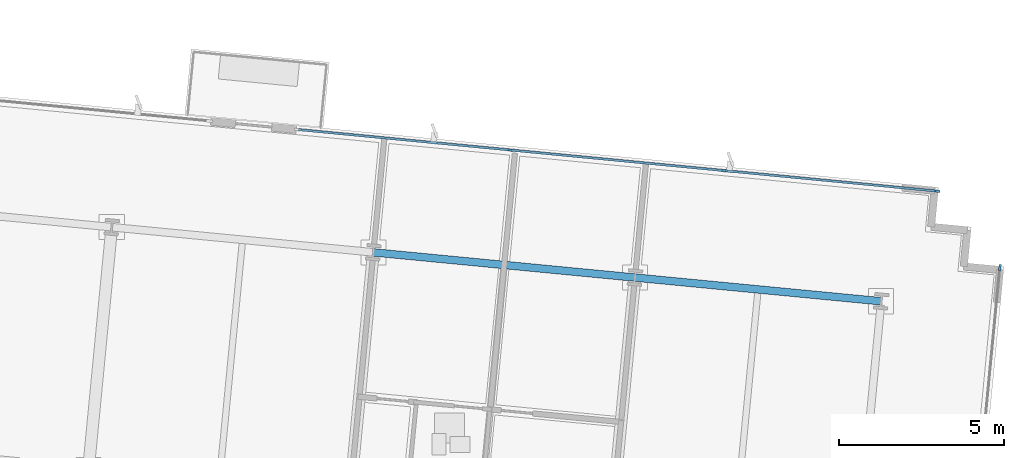
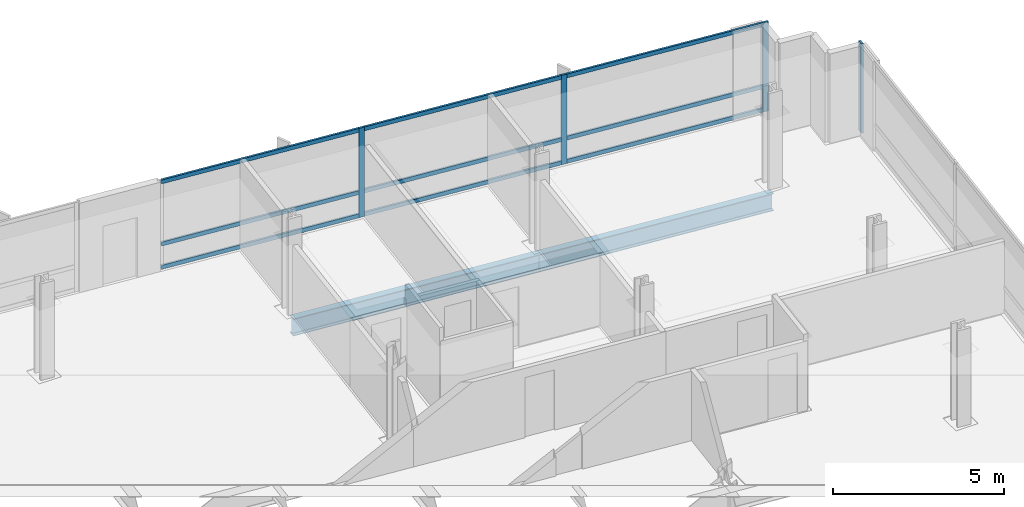
# One storey, part 8 of 16: 13 members, 2 beams, 2 elements without a shape of their own.
"""IFC4 building model written with IfcOpenShell, lengths in metres."""

from ifc_helpers import new_model, si_unit, direction, frame, origin, origin_2d, place, context, subcontext, project, spatial, rectangle, i_section, extrude, material, material_profile, profile_set, type_object, element, aggregate, save


model = new_model("IFC4")

# Units and contexts
model_context = context("Model", 3, precision=1e-05, world=origin(), true_north=direction((0.0, 1.0)))
body_context = subcontext(model_context, "Body", "Model", "MODEL_VIEW")
ifc_project = project(units=[si_unit("LENGTHUNIT", "METRE"), si_unit("AREAUNIT", "SQUARE_METRE"), si_unit("VOLUMEUNIT", "CUBIC_METRE"), si_unit("PLANEANGLEUNIT", "RADIAN"), si_unit("MASSUNIT", "GRAM", prefix="KILO")], contexts=[model_context])

# Site, building, storey
site_placement = place(None, origin())
site = spatial("IfcSite", under=ifc_project, at=site_placement, CompositionType="ELEMENT")
building_placement = place(site_placement, origin())
building = spatial("IfcBuilding", under=site, at=building_placement, Name="Solmavex Isthmus Hotel", CompositionType="ELEMENT")
storey_placement = place(building_placement, frame((0.0, 0.0, 166.949951171875)))
storey = spatial("IfcBuildingStorey", under=building, at=storey_placement, Name="L45", CompositionType="ELEMENT", Elevation=166.949951171875)

# Beams
ifc_material_1 = material(Name="Steel ASTM A992 Grade 50", Category="steel")
ifc_material_profile_1 = material_profile(ifc_material_1, i_section(OverallWidth=0.230224609375, OverallDepth=0.617431640625, WebThickness=0.01318359375, FlangeThickness=0.022216796875, FilletRadius=0.01513671875, at=origin_2d()), Name="W24X94")
ifc_profile_set_1 = profile_set([ifc_material_profile_1], Name="Steel ASTM A992 Grade 50")
beam_type = type_object("IfcBeamType", Name="BM-SP-W24X94", PredefinedType="SPANDREL", material=ifc_profile_set_1)
beam_1_placement = place(storey_placement, frame((9.1953125, 17.966552734375, -0.568603515625), z_axis=(0.995397440011, -0.095832856685, 0.0), x_axis=(0.095832856685, 0.995397440011, 0.0)))
element("IfcBeam", 1, at=beam_1_placement, inside=storey, type_object=beam_type, Name="Floor Girder L45-UG19", PredefinedType="SPANDREL", context=body_context, shape_type="SweptSolid", body=[
    extrude(i_section(OverallWidth=0.230224609375, OverallDepth=0.617431640625, WebThickness=0.01318359375, FlangeThickness=0.022216796875, FilletRadius=0.01513671875, at=origin_2d()), origin(), (0.0, 0.0, 1.0), 7.9560546875),
])
beam_2_placement = place(storey_placement, frame((17.11474609375, 17.2041015625, -0.568603515625), z_axis=(0.995395279593, -0.095855293875, 0.0), x_axis=(0.095855293875, 0.995395279593, 0.0)))
element("IfcBeam", 2, at=beam_2_placement, inside=storey, type_object=beam_type, Name="Floor Girder L45-UG20", PredefinedType="SPANDREL", context=body_context, shape_type="SweptSolid", body=[
    extrude(i_section(OverallWidth=0.230224609375, OverallDepth=0.617431640625, WebThickness=0.01318359375, FlangeThickness=0.022216796875, FilletRadius=0.01513671875, at=origin_2d()), origin(), (0.0, 0.0, 1.0), 7.488037109375),
])

# Curtain wall, members
ifc_material_2 = material(Name="Aluminium alloy 6063-T6", Category="aluminium")
curtain_wall_type = type_object("IfcCurtainWallType", Name="CW-SYS-03", PredefinedType="NOTDEFINED", material=ifc_material_2)
curtain_wall_1_placement = place(storey_placement, origin())
curtain_wall_1 = element("IfcCurtainWall", 3, at=curtain_wall_1_placement, inside=storey, type_object=curtain_wall_type, Name="Stick Curtain Wall CWL-L45-N3", PredefinedType="NOTDEFINED")
ifc_material_profile_2 = material_profile(ifc_material_2, rectangle(XDim=0.070068359375, YDim=0.179931640625, at=origin_2d()), Name="CWM-70X180")
ifc_profile_set_2 = profile_set([ifc_material_profile_2], Name="Aluminium alloy 6063-T6")
member_type_1 = type_object("IfcMemberType", Name="CW-SYS-03-MUL", PredefinedType="MULLION", material=ifc_profile_set_2)
member_1_placement = place(storey_placement, frame((13.340576171875, 21.0634765625, 0.0), z_axis=(0.0, 0.0, 1.0), x_axis=(0.095845735304, 0.995396200025, 0.0)))
member_1 = element("IfcMember", 4, at=member_1_placement, type_object=member_type_1, Name="CW-03 mullion 2", PredefinedType="MULLION", context=body_context, shape_type="SweptSolid", body=[
    extrude(rectangle(XDim=0.070068359375, YDim=0.179931640625, at=origin_2d()), origin(), (0.0, 0.0, 1.0), 3.18994140625),
])
member_2_placement = place(storey_placement, frame((19.818115234375, 20.439697265625, 0.0), z_axis=(0.0, 0.0, 1.0), x_axis=(0.095845735304, 0.995396200025, 0.0)))
member_2 = element("IfcMember", 5, at=member_2_placement, type_object=member_type_1, Name="CW-03 mullion 3", PredefinedType="MULLION", context=body_context, shape_type="SweptSolid", body=[
    extrude(rectangle(XDim=0.070068359375, YDim=0.179931640625, at=origin_2d()), origin(), (0.0, 0.0, 1.0), 3.18994140625),
])
member_3_placement = place(storey_placement, frame((26.260498046875, 19.819580078125, 0.0), z_axis=(0.0, 0.0, 1.0), x_axis=(0.095845735304, 0.995396200025, 0.0)))
member_3 = element("IfcMember", 6, at=member_3_placement, type_object=member_type_1, Name="CW-03 mullion 4", PredefinedType="MULLION", context=body_context, shape_type="SweptSolid", body=[
    extrude(rectangle(XDim=0.070068359375, YDim=0.179931640625, at=origin_2d()), origin(), (0.0, 0.0, 1.0), 3.18994140625),
])

# Curtain wall, member
curtain_wall_2_placement = place(storey_placement, origin())
curtain_wall_2 = element("IfcCurtainWall", 7, at=curtain_wall_2_placement, inside=storey, type_object=curtain_wall_type, Name="Stick Curtain Wall CWL-L45-E1", PredefinedType="NOTDEFINED")
member_4_placement = place(storey_placement, frame((28.1630859375, 17.511474609375, 0.0), z_axis=(0.0, 0.0, 1.0), x_axis=(-0.995396190038, 0.09584583902, 0.0)))
member_4 = element("IfcMember", 8, at=member_4_placement, type_object=member_type_1, Name="CW-03 mullion 6", PredefinedType="MULLION", context=body_context, shape_type="SweptSolid", body=[
    extrude(rectangle(XDim=0.070068359375, YDim=0.179931640625, at=origin_2d()), origin(), (0.0, 0.0, 1.0), 3.18994140625),
])
aggregate(curtain_wall_2, [member_4])

# Member
ifc_material_profile_3 = material_profile(ifc_material_2, rectangle(XDim=0.070068359375, YDim=0.139892578125, at=origin_2d()), Name="CWT-70X140")
ifc_profile_set_3 = profile_set([ifc_material_profile_3], Name="Aluminium alloy 6063-T6")
member_type_2 = type_object("IfcMemberType", Name="CW-SYS-03-TRN", PredefinedType="USERDEFINED", material=ifc_profile_set_3)
member_5_placement = place(storey_placement, frame((6.932861328125, 21.680419921875, 0.070068359375), z_axis=(0.995398123793, -0.095825754103, 0.0), x_axis=(0.095825754103, 0.995398123793, 0.0)))
member_5 = element("IfcMember", 9, at=member_5_placement, type_object=member_type_2, Name="CW-03 transom 1.1", ObjectType="TRANSOM", PredefinedType="USERDEFINED", context=body_context, shape_type="SweptSolid", body=[
    extrude(rectangle(XDim=0.070068359375, YDim=0.139892578125, at=origin_2d()), origin(), (0.0, 0.0, 1.0), 6.402587890625),
])

member_6_placement = place(storey_placement, frame((6.932861328125, 21.680419921875, 0.900146484375), z_axis=(0.995398123793, -0.095825754103, 0.0), x_axis=(0.095825754103, 0.995398123793, 0.0)))
member_6 = element("IfcMember", 10, at=member_6_placement, type_object=member_type_2, Name="CW-03 transom 1.2", ObjectType="TRANSOM", PredefinedType="USERDEFINED", context=body_context, shape_type="SweptSolid", body=[
    extrude(rectangle(XDim=0.070068359375, YDim=0.139892578125, at=origin_2d()), origin(), (0.0, 0.0, 1.0), 6.402587890625),
])

member_7_placement = place(storey_placement, frame((6.932861328125, 21.680419921875, 3.1201171875), z_axis=(0.995398123793, -0.095825754103, 0.0), x_axis=(0.095825754103, 0.995398123793, 0.0)))
member_7 = element("IfcMember", 11, at=member_7_placement, type_object=member_type_2, Name="CW-03 transom 1.3", ObjectType="TRANSOM", PredefinedType="USERDEFINED", context=body_context, shape_type="SweptSolid", body=[
    extrude(rectangle(XDim=0.070068359375, YDim=0.139892578125, at=origin_2d()), origin(), (0.0, 0.0, 1.0), 6.402587890625),
])

member_8_placement = place(storey_placement, frame((13.37548828125, 21.06005859375, 0.070068359375), z_axis=(0.995396930529, -0.095838148421, 0.0), x_axis=(0.095838148421, 0.995396930529, 0.0)))
member_8 = element("IfcMember", 12, at=member_8_placement, type_object=member_type_2, Name="CW-03 transom 2.1", ObjectType="TRANSOM", PredefinedType="USERDEFINED", context=body_context, shape_type="SweptSolid", body=[
    extrude(rectangle(XDim=0.070068359375, YDim=0.139892578125, at=origin_2d()), origin(), (0.0, 0.0, 1.0), 6.437255859375),
])

member_9_placement = place(storey_placement, frame((13.37548828125, 21.06005859375, 0.900146484375), z_axis=(0.995396930529, -0.095838148421, 0.0), x_axis=(0.095838148421, 0.995396930529, 0.0)))
member_9 = element("IfcMember", 13, at=member_9_placement, type_object=member_type_2, Name="CW-03 transom 2.2", ObjectType="TRANSOM", PredefinedType="USERDEFINED", context=body_context, shape_type="SweptSolid", body=[
    extrude(rectangle(XDim=0.070068359375, YDim=0.139892578125, at=origin_2d()), origin(), (0.0, 0.0, 1.0), 6.437255859375),
])

member_10_placement = place(storey_placement, frame((13.37548828125, 21.06005859375, 3.1201171875), z_axis=(0.995396930529, -0.095838148421, 0.0), x_axis=(0.095838148421, 0.995396930529, 0.0)))
member_10 = element("IfcMember", 14, at=member_10_placement, type_object=member_type_2, Name="CW-03 transom 2.3", ObjectType="TRANSOM", PredefinedType="USERDEFINED", context=body_context, shape_type="SweptSolid", body=[
    extrude(rectangle(XDim=0.070068359375, YDim=0.139892578125, at=origin_2d()), origin(), (0.0, 0.0, 1.0), 6.437255859375),
])

member_11_placement = place(storey_placement, frame((19.852783203125, 20.4365234375, 0.070068359375), z_axis=(0.995394485876, -0.09586353576, 0.0), x_axis=(0.09586353576, 0.995394485876, 0.0)))
member_11 = element("IfcMember", 15, at=member_11_placement, type_object=member_type_2, Name="CW-03 transom 3.1", ObjectType="TRANSOM", PredefinedType="USERDEFINED", context=body_context, shape_type="SweptSolid", body=[
    extrude(rectangle(XDim=0.070068359375, YDim=0.139892578125, at=origin_2d()), origin(), (0.0, 0.0, 1.0), 6.402587890625),
])

member_12_placement = place(storey_placement, frame((19.852783203125, 20.4365234375, 0.900146484375), z_axis=(0.995394485876, -0.09586353576, 0.0), x_axis=(0.09586353576, 0.995394485876, 0.0)))
member_12 = element("IfcMember", 16, at=member_12_placement, type_object=member_type_2, Name="CW-03 transom 3.2", ObjectType="TRANSOM", PredefinedType="USERDEFINED", context=body_context, shape_type="SweptSolid", body=[
    extrude(rectangle(XDim=0.070068359375, YDim=0.139892578125, at=origin_2d()), origin(), (0.0, 0.0, 1.0), 6.402587890625),
])

member_13_placement = place(storey_placement, frame((19.852783203125, 20.4365234375, 3.1201171875), z_axis=(0.995394485876, -0.09586353576, 0.0), x_axis=(0.09586353576, 0.995394485876, 0.0)))
member_13 = element("IfcMember", 17, at=member_13_placement, type_object=member_type_2, Name="CW-03 transom 3.3", ObjectType="TRANSOM", PredefinedType="USERDEFINED", context=body_context, shape_type="SweptSolid", body=[
    extrude(rectangle(XDim=0.070068359375, YDim=0.139892578125, at=origin_2d()), origin(), (0.0, 0.0, 1.0), 6.402587890625),
])

aggregate(curtain_wall_1, [member_1, member_2, member_3, member_5, member_6, member_7, member_8, member_9, member_10, member_11, member_12, member_13])

save(model, "model.ifc")
